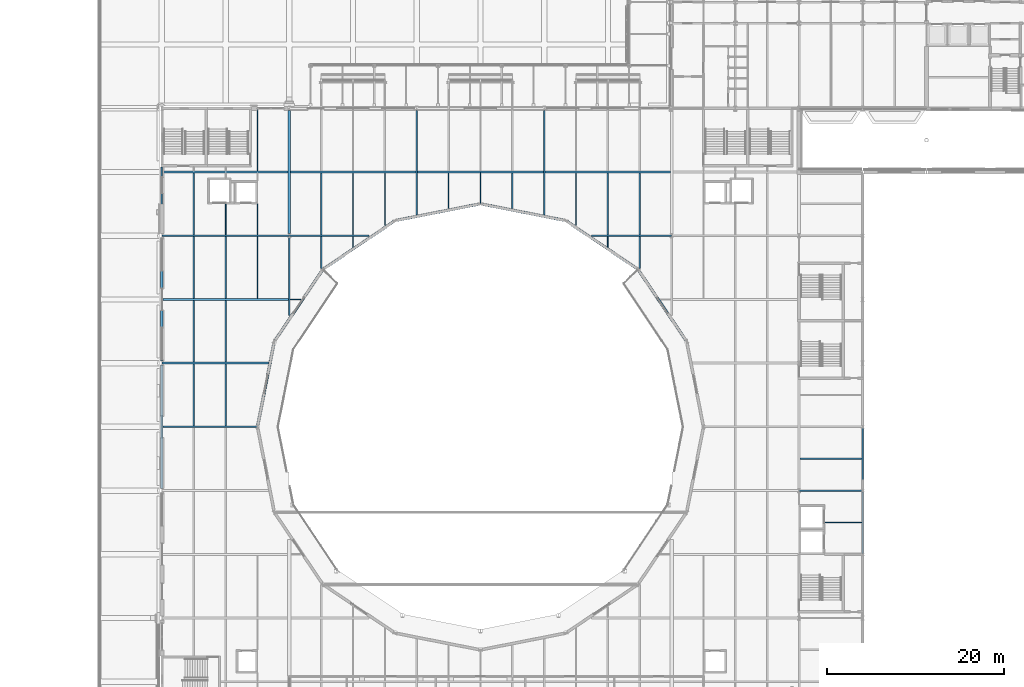
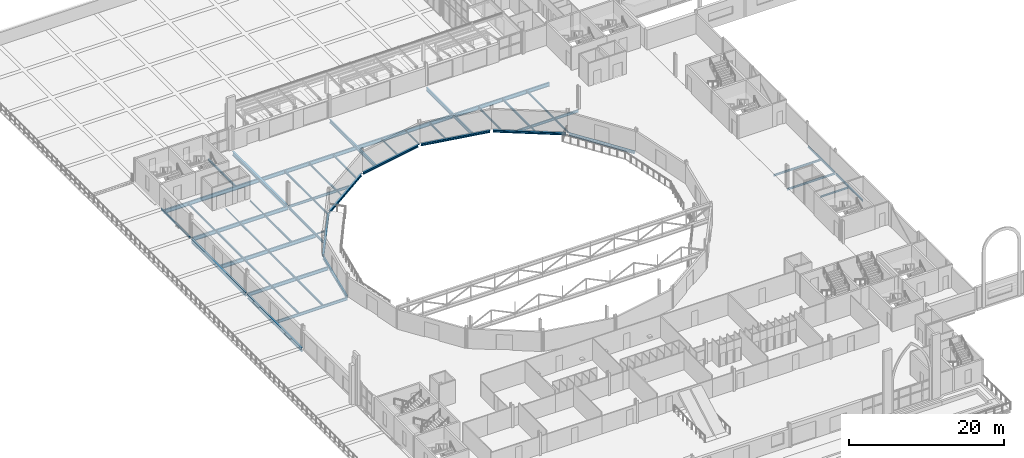
# One storey, part 46 of 143: 54 beams.
"""IFC4 building model written with IfcOpenShell, lengths in metres."""

from ifc_helpers import new_model, si_unit, direction, frame, origin, origin_2d, place, context, subcontext, project, spatial, i_section, extrude, material, material_profile, profile_set, type_object, element, save


model = new_model("IFC4")

# Units and contexts
model_context = context("Model", 3, precision=1e-05, world=origin(), true_north=direction((0.0, 1.0)))
body_context = subcontext(model_context, "Body", "Model", "MODEL_VIEW")
ifc_project = project(units=[si_unit("LENGTHUNIT", "METRE"), si_unit("AREAUNIT", "SQUARE_METRE"), si_unit("VOLUMEUNIT", "CUBIC_METRE"), si_unit("PLANEANGLEUNIT", "RADIAN"), si_unit("MASSUNIT", "GRAM", prefix="KILO")], contexts=[model_context])

# Site, building, storey
site_placement = place(None, origin())
site = spatial("IfcSite", under=ifc_project, at=site_placement, CompositionType="ELEMENT")
building_placement = place(site_placement, origin())
building = spatial("IfcBuilding", under=site, at=building_placement, Name="Kupolbacken Congress Centre", CompositionType="ELEMENT")
storey_placement = place(building_placement, frame((0.0, 0.0, 7.199951171875)))
storey = spatial("IfcBuildingStorey", under=building, at=storey_placement, Name="L02", CompositionType="ELEMENT", Elevation=7.199951171875)

# Beams
ifc_material_1 = material(Name="Steel S355", Category="steel")
ifc_material_profile_1 = material_profile(ifc_material_1, i_section(OverallWidth=0.10009765625, OverallDepth=0.199951171875, WebThickness=0.005615234375, FlangeThickness=0.008544921875, FilletRadius=0.011962890625, at=origin_2d()), Name="IPE 200")
ifc_profile_set_1 = profile_set([ifc_material_profile_1], Name="Steel S355")
beam_type_1 = type_object("IfcBeamType", Name="B01 beam IPE 200", PredefinedType="BEAM", material=ifc_profile_set_1)
beam_1_placement = place(storey_placement, frame((21.68994140625, 100.800048828125, -0.280029296875), z_axis=(1.0, 0.0, 0.0), x_axis=(0.0, 1.0, 0.0)))
element("IfcBeam", 1, at=beam_1_placement, inside=storey, type_object=beam_type_1, Name="S/floor/P/L02/R058", PredefinedType="BEAM", context=body_context, shape_type="SweptSolid", body=[
    extrude(i_section(OverallWidth=0.10009765625, OverallDepth=0.199951171875, WebThickness=0.005615234375, FlangeThickness=0.008544921875, FilletRadius=0.011962890625, at=origin_2d()), origin(), (0.0, 0.0, 1.0), 1.200927734375),
])
beam_2_placement = place(storey_placement, frame((14.39990234375, 108.110107421875, -0.280029296875), z_axis=(0.0, 1.0, 0.0), x_axis=(-1.0, 0.0, 0.0)))
element("IfcBeam", 2, at=beam_2_placement, inside=storey, type_object=beam_type_1, Name="S/floor/P/L02/S093", PredefinedType="BEAM", context=body_context, shape_type="SweptSolid", body=[
    extrude(i_section(OverallWidth=0.10009765625, OverallDepth=0.199951171875, WebThickness=0.005615234375, FlangeThickness=0.008544921875, FilletRadius=0.011962890625, at=origin_2d()), origin(), (0.0, 0.0, 1.0), 3.489990234375),
])
beam_3_placement = place(storey_placement, frame((28.800048828125, 106.709228515625, -0.280029296875), z_axis=(0.0, 1.0, 0.0), x_axis=(-1.0, 0.0, 0.0)))
element("IfcBeam", 3, at=beam_3_placement, inside=storey, type_object=beam_type_1, Name="S/floor/P/L02/S105", PredefinedType="BEAM", context=body_context, shape_type="SweptSolid", body=[
    extrude(i_section(OverallWidth=0.10009765625, OverallDepth=0.199951171875, WebThickness=0.005615234375, FlangeThickness=0.008544921875, FilletRadius=0.011962890625, at=origin_2d()), origin(), (0.0, 0.0, 1.0), 1.20068359375),
])
beam_4_placement = place(storey_placement, frame((43.199951171875, 111.606689453125, -0.280029296875), z_axis=(0.0, 1.0, 0.0), x_axis=(-1.0, 0.0, 0.0)))
element("IfcBeam", 4, at=beam_4_placement, inside=storey, type_object=beam_type_1, Name="S/floor/P/L02/S118", PredefinedType="BEAM", context=body_context, shape_type="SweptSolid", body=[
    extrude(i_section(OverallWidth=0.10009765625, OverallDepth=0.199951171875, WebThickness=0.005615234375, FlangeThickness=0.008544921875, FilletRadius=0.011962890625, at=origin_2d()), origin(), (0.0, 0.0, 1.0), 3.4833984375),
])
beam_5_placement = place(storey_placement, frame((57.60009765625, 106.709228515625, -0.280029296875), z_axis=(0.0, 1.0, 0.0), x_axis=(-1.0, 0.0, 0.0)))
element("IfcBeam", 5, at=beam_5_placement, inside=storey, type_object=beam_type_1, Name="S/floor/P/L02/S131", PredefinedType="BEAM", context=body_context, shape_type="SweptSolid", body=[
    extrude(i_section(OverallWidth=0.10009765625, OverallDepth=0.199951171875, WebThickness=0.005615234375, FlangeThickness=0.008544921875, FilletRadius=0.011962890625, at=origin_2d()), origin(), (0.0, 0.0, 1.0), 1.20068359375),
])
beam_6_placement = place(storey_placement, frame((18.0, 108.110107421875, -0.280029296875), z_axis=(0.0, 1.0, 0.0), x_axis=(-1.0, 0.0, 0.0)))
element("IfcBeam", 6, at=beam_6_placement, inside=storey, type_object=beam_type_1, Name="S/floor/P/L02/S170", PredefinedType="BEAM", context=body_context, shape_type="SweptSolid", body=[
    extrude(i_section(OverallWidth=0.10009765625, OverallDepth=0.199951171875, WebThickness=0.005615234375, FlangeThickness=0.008544921875, FilletRadius=0.011962890625, at=origin_2d()), origin(), (0.0, 0.0, 1.0), 3.489990234375),
])
ifc_material_2 = material(Name="Steel S355", Category="steel")
ifc_material_profile_2 = material_profile(ifc_material_2, i_section(OverallWidth=0.135009765625, OverallDepth=0.27001953125, WebThickness=0.006591796875, FlangeThickness=0.01025390625, FilletRadius=0.014892578125, at=origin_2d()), Name="IPE 270")
ifc_profile_set_2 = profile_set([ifc_material_profile_2], Name="Steel S355")
beam_type_2 = type_object("IfcBeamType", Name="B03 beam IPE 270", PredefinedType="BEAM", material=ifc_profile_set_2)
beam_7_placement = place(storey_placement, frame((25.199951171875, 104.271728515625, -0.31494140625), z_axis=(0.0, 1.0, 0.0), x_axis=(-1.0, 0.0, 0.0)))
element("IfcBeam", 7, at=beam_7_placement, inside=storey, type_object=beam_type_2, Name="S/floor/P/L02/S099", PredefinedType="BEAM", context=body_context, shape_type="SweptSolid", body=[
    extrude(i_section(OverallWidth=0.135009765625, OverallDepth=0.27001953125, WebThickness=0.006591796875, FlangeThickness=0.01025390625, FilletRadius=0.014892578125, at=origin_2d()), origin(), (0.0, 0.0, 1.0), 3.63818359375),
])
beam_8_placement = place(storey_placement, frame((32.39990234375, 109.150390625, -0.31494140625), z_axis=(0.0, 1.0, 0.0), x_axis=(-1.0, 0.0, 0.0)))
element("IfcBeam", 8, at=beam_8_placement, inside=storey, type_object=beam_type_2, Name="S/floor/P/L02/S110", PredefinedType="BEAM", context=body_context, shape_type="SweptSolid", body=[
    extrude(i_section(OverallWidth=0.135009765625, OverallDepth=0.27001953125, WebThickness=0.006591796875, FlangeThickness=0.01025390625, FilletRadius=0.014892578125, at=origin_2d()), origin(), (0.0, 0.0, 1.0), 5.939697265625),
])
for number, where, z_axis, x_axis, name in (
    (9, (39.60009765625, 111.057373046875, -0.31494140625), (0.0, 1.0, 0.0), (-1.0, 0.0, 0.0), "S/floor/P/L02/S114"),
    (10, (46.800048828125, 111.057373046875, -0.31494140625), (0.0, 1.0, 0.0), (-1.0, 0.0, 0.0), "S/floor/P/L02/S122"),
):
    element("IfcBeam", number, at=place(storey_placement, frame(where, z_axis=z_axis, x_axis=x_axis)), inside=storey, type_object=beam_type_2, Name=name, PredefinedType="BEAM", context=body_context, shape_type="SweptSolid", body=[
        extrude(i_section(OverallWidth=0.135009765625, OverallDepth=0.27001953125, WebThickness=0.006591796875, FlangeThickness=0.01025390625, FilletRadius=0.014892578125, at=origin_2d()), origin(), (0.0, 0.0, 1.0), 4.03271484375),
    ])
beam_9_placement = place(storey_placement, frame((54.0, 109.150390625, -0.31494140625), z_axis=(0.0, 1.0, 0.0), x_axis=(-1.0, 0.0, 0.0)))
element("IfcBeam", 11, at=beam_9_placement, inside=storey, type_object=beam_type_2, Name="S/floor/P/L02/S126", PredefinedType="BEAM", context=body_context, shape_type="SweptSolid", body=[
    extrude(i_section(OverallWidth=0.135009765625, OverallDepth=0.27001953125, WebThickness=0.006591796875, FlangeThickness=0.01025390625, FilletRadius=0.014892578125, at=origin_2d()), origin(), (0.0, 0.0, 1.0), 5.939697265625),
])
beam_10_placement = place(storey_placement, frame((61.199951171875, 104.271728515625, -0.31494140625), z_axis=(0.0, 1.0, 0.0), x_axis=(-1.0, 0.0, 0.0)))
element("IfcBeam", 12, at=beam_10_placement, inside=storey, type_object=beam_type_2, Name="S/floor/P/L02/S137", PredefinedType="BEAM", context=body_context, shape_type="SweptSolid", body=[
    extrude(i_section(OverallWidth=0.135009765625, OverallDepth=0.27001953125, WebThickness=0.006591796875, FlangeThickness=0.01025390625, FilletRadius=0.014892578125, at=origin_2d()), origin(), (0.0, 0.0, 1.0), 3.63818359375),
])
beam_11_placement = place(storey_placement, frame((82.10009765625, 75.60009765625, -0.31494140625), z_axis=(1.0, 0.0, 0.0), x_axis=(0.0, 1.0, 0.0)))
element("IfcBeam", 13, at=beam_11_placement, inside=storey, type_object=beam_type_2, Name="S/floor/LINK/L02/R015", PredefinedType="BEAM", context=body_context, shape_type="SweptSolid", body=[
    extrude(i_section(OverallWidth=0.135009765625, OverallDepth=0.27001953125, WebThickness=0.006591796875, FlangeThickness=0.01025390625, FilletRadius=0.014892578125, at=origin_2d()), origin(), (0.0, 0.0, 1.0), 4.224853515625),
])
ifc_material_3 = material(Name="Steel S355", Category="steel")
ifc_material_profile_3 = material_profile(ifc_material_3, i_section(OverallWidth=0.14990234375, OverallDepth=0.300048828125, WebThickness=0.007080078125, FlangeThickness=0.0107421875, FilletRadius=0.014892578125, at=origin_2d()), Name="IPE 300")
ifc_profile_set_3 = profile_set([ifc_material_profile_3], Name="Steel S355")
beam_type_3 = type_object("IfcBeamType", Name="B04 beam IPE 300", PredefinedType="BEAM", material=ifc_profile_set_3)
beam_12_placement = place(storey_placement, frame((10.800048828125, 86.4951171875, -0.329833984375), z_axis=(0.0, 1.0, 0.0), x_axis=(-1.0, 0.0, 0.0)))
element("IfcBeam", 14, at=beam_12_placement, inside=storey, type_object=beam_type_3, Name="S/floor/P/L02/S080", PredefinedType="BEAM", context=body_context, shape_type="SweptSolid", body=[
    extrude(i_section(OverallWidth=0.14990234375, OverallDepth=0.300048828125, WebThickness=0.007080078125, FlangeThickness=0.0107421875, FilletRadius=0.014892578125, at=origin_2d()), origin(), (0.0, 0.0, 1.0), 7.0),
])
beam_13_placement = place(storey_placement, frame((10.800048828125, 93.705078125, -0.329833984375), z_axis=(0.0, 1.0, 0.0), x_axis=(-1.0, 0.0, 0.0)))
element("IfcBeam", 15, at=beam_13_placement, inside=storey, type_object=beam_type_3, Name="S/floor/P/L02/S081", PredefinedType="BEAM", context=body_context, shape_type="SweptSolid", body=[
    extrude(i_section(OverallWidth=0.14990234375, OverallDepth=0.300048828125, WebThickness=0.007080078125, FlangeThickness=0.0107421875, FilletRadius=0.014892578125, at=origin_2d()), origin(), (0.0, 0.0, 1.0), 6.98486328125),
])
for number, where, z_axis, x_axis, name in (
    (16, (10.800048828125, 100.909912109375, -0.329833984375), (0.0, 1.0, 0.0), (-1.0, 0.0, 0.0), "S/floor/P/L02/S082"),
    (17, (10.800048828125, 108.110107421875, -0.329833984375), (0.0, 1.0, 0.0), (-1.0, 0.0, 0.0), "S/floor/P/L02/S083"),
):
    element("IfcBeam", number, at=place(storey_placement, frame(where, z_axis=z_axis, x_axis=x_axis)), inside=storey, type_object=beam_type_3, Name=name, PredefinedType="BEAM", context=body_context, shape_type="SweptSolid", body=[
        extrude(i_section(OverallWidth=0.14990234375, OverallDepth=0.300048828125, WebThickness=0.007080078125, FlangeThickness=0.0107421875, FilletRadius=0.014892578125, at=origin_2d()), origin(), (0.0, 0.0, 1.0), 6.97998046875),
    ])
beam_14_placement = place(storey_placement, frame((14.39990234375, 86.4951171875, -0.329833984375), z_axis=(0.0, 1.0, 0.0), x_axis=(-1.0, 0.0, 0.0)))
element("IfcBeam", 18, at=beam_14_placement, inside=storey, type_object=beam_type_3, Name="S/floor/P/L02/S090", PredefinedType="BEAM", context=body_context, shape_type="SweptSolid", body=[
    extrude(i_section(OverallWidth=0.14990234375, OverallDepth=0.300048828125, WebThickness=0.007080078125, FlangeThickness=0.0107421875, FilletRadius=0.014892578125, at=origin_2d()), origin(), (0.0, 0.0, 1.0), 7.0),
])
beam_15_placement = place(storey_placement, frame((14.39990234375, 93.705078125, -0.329833984375), z_axis=(0.0, 1.0, 0.0), x_axis=(-1.0, 0.0, 0.0)))
element("IfcBeam", 19, at=beam_15_placement, inside=storey, type_object=beam_type_3, Name="S/floor/P/L02/S091", PredefinedType="BEAM", context=body_context, shape_type="SweptSolid", body=[
    extrude(i_section(OverallWidth=0.14990234375, OverallDepth=0.300048828125, WebThickness=0.007080078125, FlangeThickness=0.0107421875, FilletRadius=0.014892578125, at=origin_2d()), origin(), (0.0, 0.0, 1.0), 6.98486328125),
])
beam_16_placement = place(storey_placement, frame((14.39990234375, 100.909912109375, -0.329833984375), z_axis=(0.0, 1.0, 0.0), x_axis=(-1.0, 0.0, 0.0)))
element("IfcBeam", 20, at=beam_16_placement, inside=storey, type_object=beam_type_3, Name="S/floor/P/L02/S092", PredefinedType="BEAM", context=body_context, shape_type="SweptSolid", body=[
    extrude(i_section(OverallWidth=0.14990234375, OverallDepth=0.300048828125, WebThickness=0.007080078125, FlangeThickness=0.0107421875, FilletRadius=0.014892578125, at=origin_2d()), origin(), (0.0, 0.0, 1.0), 6.97998046875),
])
for number, where, z_axis, x_axis, name in (
    (21, (25.199951171875, 108.090087890625, -0.329833984375), (0.0, 1.0, 0.0), (-1.0, 0.0, 0.0), "S/floor/P/L02/S100"),
    (22, (28.800048828125, 108.090087890625, -0.329833984375), (0.0, 1.0, 0.0), (-1.0, 0.0, 0.0), "S/floor/P/L02/S106"),
    (23, (57.60009765625, 108.090087890625, -0.329833984375), (0.0, 1.0, 0.0), (-1.0, 0.0, 0.0), "S/floor/P/L02/S132"),
    (24, (61.199951171875, 108.090087890625, -0.329833984375), (0.0, 1.0, 0.0), (-1.0, 0.0, 0.0), "S/floor/P/L02/S138"),
):
    element("IfcBeam", number, at=place(storey_placement, frame(where, z_axis=z_axis, x_axis=x_axis)), inside=storey, type_object=beam_type_3, Name=name, PredefinedType="BEAM", context=body_context, shape_type="SweptSolid", body=[
        extrude(i_section(OverallWidth=0.14990234375, OverallDepth=0.300048828125, WebThickness=0.007080078125, FlangeThickness=0.0107421875, FilletRadius=0.014892578125, at=origin_2d()), origin(), (0.0, 0.0, 1.0), 7.0),
    ])
beam_17_placement = place(storey_placement, frame((18.0, 100.909912109375, -0.329833984375), z_axis=(0.0, 1.0, 0.0), x_axis=(-1.0, 0.0, 0.0)))
element("IfcBeam", 25, at=beam_17_placement, inside=storey, type_object=beam_type_3, Name="S/floor/P/L02/S169", PredefinedType="BEAM", context=body_context, shape_type="SweptSolid", body=[
    extrude(i_section(OverallWidth=0.14990234375, OverallDepth=0.300048828125, WebThickness=0.007080078125, FlangeThickness=0.0107421875, FilletRadius=0.014892578125, at=origin_2d()), origin(), (0.0, 0.0, 1.0), 6.97998046875),
])
beam_18_placement = place(storey_placement, frame((18.0, 115.31005859375, -0.329833984375), z_axis=(0.0, 1.0, 0.0), x_axis=(-1.0, 0.0, 0.0)))
element("IfcBeam", 26, at=beam_18_placement, inside=storey, type_object=beam_type_3, Name="S/floor/P/L02/S172", PredefinedType="BEAM", context=body_context, shape_type="SweptSolid", body=[
    extrude(i_section(OverallWidth=0.14990234375, OverallDepth=0.300048828125, WebThickness=0.007080078125, FlangeThickness=0.0107421875, FilletRadius=0.014892578125, at=origin_2d()), origin(), (0.0, 0.0, 1.0), 7.0224609375),
])
beam_19_placement = place(storey_placement, frame((86.39990234375, 72.10009765625, -0.329833984375), z_axis=(0.0, 1.0, 0.0), x_axis=(-1.0, 0.0, 0.0)))
element("IfcBeam", 27, at=beam_19_placement, inside=storey, type_object=beam_type_3, Name="S/floor/LINK/L02/E005", PredefinedType="BEAM", context=body_context, shape_type="SweptSolid", body=[
    extrude(i_section(OverallWidth=0.14990234375, OverallDepth=0.300048828125, WebThickness=0.007080078125, FlangeThickness=0.0107421875, FilletRadius=0.014892578125, at=origin_2d()), origin(), (0.0, 0.0, 1.0), 6.954833984375),
])
beam_20_placement = place(storey_placement, frame((86.39990234375, 79.344970703125, -0.329833984375), z_axis=(0.0, 1.0, 0.0), x_axis=(-1.0, 0.0, 0.0)))
element("IfcBeam", 28, at=beam_20_placement, inside=storey, type_object=beam_type_3, Name="S/floor/LINK/L02/E006", PredefinedType="BEAM", context=body_context, shape_type="SweptSolid", body=[
    extrude(i_section(OverallWidth=0.14990234375, OverallDepth=0.300048828125, WebThickness=0.007080078125, FlangeThickness=0.0107421875, FilletRadius=0.014892578125, at=origin_2d()), origin(), (0.0, 0.0, 1.0), 6.909912109375),
])
beam_21_placement = place(storey_placement, frame((79.20703125, 79.199951171875, -0.329833984375), z_axis=(1.0, 0.0, 0.0), x_axis=(0.0, 1.0, 0.0)))
element("IfcBeam", 29, at=beam_21_placement, inside=storey, type_object=beam_type_3, Name="S/floor/LINK/L02/R016", PredefinedType="BEAM", context=body_context, shape_type="SweptSolid", body=[
    extrude(i_section(OverallWidth=0.14990234375, OverallDepth=0.300048828125, WebThickness=0.007080078125, FlangeThickness=0.0107421875, FilletRadius=0.014892578125, at=origin_2d()), origin(), (0.0, 0.0, 1.0), 7.188720703125),
])
beam_22_placement = place(storey_placement, frame((79.304931640625, 82.800048828125, -0.329833984375), z_axis=(1.0, 0.0, 0.0), x_axis=(0.0, 1.0, 0.0)))
element("IfcBeam", 30, at=beam_22_placement, inside=storey, type_object=beam_type_3, Name="S/floor/LINK/L02/R017", PredefinedType="BEAM", context=body_context, shape_type="SweptSolid", body=[
    extrude(i_section(OverallWidth=0.14990234375, OverallDepth=0.300048828125, WebThickness=0.007080078125, FlangeThickness=0.0107421875, FilletRadius=0.014892578125, at=origin_2d()), origin(), (0.0, 0.0, 1.0), 7.02001953125),
])
ifc_material_4 = material(Name="Steel S355", Category="steel")
ifc_material_profile_4 = material_profile(ifc_material_4, i_section(OverallWidth=0.159912109375, OverallDepth=0.330078125, WebThickness=0.007568359375, FlangeThickness=0.011474609375, FilletRadius=0.01806640625, at=origin_2d()), Name="IPE 330")
ifc_profile_set_4 = profile_set([ifc_material_profile_4], Name="Steel S355")
beam_type_4 = type_object("IfcBeamType", Name="B05 beam IPE 330", PredefinedType="BEAM", material=ifc_profile_set_4)
beam_23_placement = place(storey_placement, frame((7.199951171875, 108.22509765625, -0.344970703125), z_axis=(0.0, 1.0, 0.0), x_axis=(-1.0, 0.0, 0.0)))
element("IfcBeam", 31, at=beam_23_placement, inside=storey, type_object=beam_type_4, Name="S/floor/P/L02/G021", PredefinedType="BEAM", context=body_context, shape_type="SweptSolid", body=[
    extrude(i_section(OverallWidth=0.159912109375, OverallDepth=0.330078125, WebThickness=0.007568359375, FlangeThickness=0.011474609375, FilletRadius=0.01806640625, at=origin_2d()), origin(), (0.0, 0.0, 1.0), 7.5498046875),
])
ifc_material_5 = material(Name="Steel S355", Category="steel")
ifc_material_profile_5 = material_profile(ifc_material_5, i_section(OverallWidth=0.179931640625, OverallDepth=0.39990234375, WebThickness=0.008544921875, FlangeThickness=0.013427734375, FilletRadius=0.02099609375, at=origin_2d()), Name="IPE 400")
ifc_profile_set_5 = profile_set([ifc_material_profile_5], Name="Steel S355")
beam_type_5 = type_object("IfcBeamType", Name="B07 beam IPE 400", PredefinedType="BEAM", material=ifc_profile_set_5)
beam_24_placement = place(storey_placement, frame((21.60009765625, 98.970703125, -0.3798828125), z_axis=(0.0, 1.0, 0.0), x_axis=(-1.0, 0.0, 0.0)))
element("IfcBeam", 32, at=beam_24_placement, inside=storey, type_object=beam_type_5, Name="S/floor/P/L02/G023", PredefinedType="BEAM", context=body_context, shape_type="SweptSolid", body=[
    extrude(i_section(OverallWidth=0.179931640625, OverallDepth=0.39990234375, WebThickness=0.008544921875, FlangeThickness=0.013427734375, FilletRadius=0.02099609375, at=origin_2d()), origin(), (0.0, 0.0, 1.0), 8.80419921875),
])
for number, where, z_axis, x_axis, name in (
    (33, (21.60693359375, 108.0, -0.3798828125), (1.0, 0.0, 0.0), (0.0, 1.0, 0.0), "S/floor/P/L02/R062"),
    (34, (55.7705078125, 108.0, -0.3798828125), (1.0, 0.0, 0.0), (0.0, 1.0, 0.0), "S/floor/P/L02/R063"),
):
    element("IfcBeam", number, at=place(storey_placement, frame(where, z_axis=z_axis, x_axis=x_axis)), inside=storey, type_object=beam_type_5, Name=name, PredefinedType="BEAM", context=body_context, shape_type="SweptSolid", body=[
        extrude(i_section(OverallWidth=0.179931640625, OverallDepth=0.39990234375, WebThickness=0.008544921875, FlangeThickness=0.013427734375, FilletRadius=0.02099609375, at=origin_2d()), origin(), (0.0, 0.0, 1.0), 9.0224609375),
    ])
ifc_material_6 = material(Name="Steel S355", Category="steel")
ifc_material_profile_6 = material_profile(ifc_material_6, i_section(OverallWidth=0.18994140625, OverallDepth=0.449951171875, WebThickness=0.009521484375, FlangeThickness=0.0146484375, FilletRadius=0.02099609375, at=origin_2d()), Name="IPE 450")
ifc_profile_set_6 = profile_set([ifc_material_profile_6], Name="Steel S355")
beam_type_6 = type_object("IfcBeamType", Name="B08 beam IPE 450", PredefinedType="BEAM", material=ifc_profile_set_6)
beam_25_placement = place(storey_placement, frame((7.35009765625, 86.39990234375, -0.405029296875), z_axis=(1.0, 0.0, 0.0), x_axis=(0.0, 1.0, 0.0)))
element("IfcBeam", 35, at=beam_25_placement, inside=storey, type_object=beam_type_6, Name="S/floor/P/L02/R053", PredefinedType="BEAM", context=body_context, shape_type="SweptSolid", body=[
    extrude(i_section(OverallWidth=0.18994140625, OverallDepth=0.449951171875, WebThickness=0.009521484375, FlangeThickness=0.0146484375, FilletRadius=0.02099609375, at=origin_2d()), origin(), (0.0, 0.0, 1.0), 10.64306640625),
])
ifc_material_7 = material(Name="Steel S355", Category="steel")
ifc_material_profile_7 = material_profile(ifc_material_7, i_section(OverallWidth=0.2099609375, OverallDepth=0.550048828125, WebThickness=0.010986328125, FlangeThickness=0.01708984375, FilletRadius=0.02392578125, at=origin_2d()), Name="IPE 550")
ifc_profile_set_7 = profile_set([ifc_material_profile_7], Name="Steel S355")
beam_type_7 = type_object("IfcBeamType", Name="B10 beam IPE 550", PredefinedType="BEAM", material=ifc_profile_set_7)
for number, where, z_axis, x_axis, name in (
    (36, (36.0, 110.35595703125, -0.454833984375), (0.0, 1.0, 0.0), (-1.0, 0.0, 0.0), "S/floor/P/L02/G026"),
    (37, (50.39990234375, 110.35595703125, -0.454833984375), (0.0, 1.0, 0.0), (-1.0, 0.0, 0.0), "S/floor/P/L02/G028"),
):
    element("IfcBeam", number, at=place(storey_placement, frame(where, z_axis=z_axis, x_axis=x_axis)), inside=storey, type_object=beam_type_7, Name=name, PredefinedType="BEAM", context=body_context, shape_type="SweptSolid", body=[
        extrude(i_section(OverallWidth=0.2099609375, OverallDepth=0.550048828125, WebThickness=0.010986328125, FlangeThickness=0.01708984375, FilletRadius=0.02392578125, at=origin_2d()), origin(), (0.0, 0.0, 1.0), 11.819091796875),
    ])
beam_26_placement = place(storey_placement, frame((7.20703125, 93.60009765625, -0.454833984375), z_axis=(1.0, 0.0, 0.0), x_axis=(0.0, 1.0, 0.0)))
element("IfcBeam", 38, at=beam_26_placement, inside=storey, type_object=beam_type_7, Name="S/floor/P/L02/R055", PredefinedType="BEAM", context=body_context, shape_type="SweptSolid", body=[
    extrude(i_section(OverallWidth=0.2099609375, OverallDepth=0.550048828125, WebThickness=0.010986328125, FlangeThickness=0.01708984375, FilletRadius=0.02392578125, at=origin_2d()), origin(), (0.0, 0.0, 1.0), 12.037109375),
])
ifc_material_8 = material(Name="Steel S355", Category="steel")
ifc_material_profile_8 = material_profile(ifc_material_8, i_section(OverallWidth=0.219970703125, OverallDepth=0.60009765625, WebThickness=0.011962890625, FlangeThickness=0.01904296875, FilletRadius=0.02392578125, at=origin_2d()), Name="IPE 600")
ifc_profile_set_8 = profile_set([ifc_material_profile_8], Name="Steel S355")
beam_type_8 = type_object("IfcBeamType", Name="B11 beam IPE 600", PredefinedType="BEAM", material=ifc_profile_set_8)
beam_27_placement = place(storey_placement, frame((7.35009765625, 100.800048828125, -0.47998046875), z_axis=(1.0, 0.0, 0.0), x_axis=(0.0, 1.0, 0.0)))
element("IfcBeam", 39, at=beam_27_placement, inside=storey, type_object=beam_type_8, Name="S/floor/P/L02/R057", PredefinedType="BEAM", context=body_context, shape_type="SweptSolid", body=[
    extrude(i_section(OverallWidth=0.219970703125, OverallDepth=0.60009765625, WebThickness=0.011962890625, FlangeThickness=0.01904296875, FilletRadius=0.02392578125, at=origin_2d()), origin(), (0.0, 0.0, 1.0), 14.159912109375),
])
beam_28_placement = place(storey_placement, frame((7.20703125, 108.0, -0.47998046875), z_axis=(1.0, 0.0, 0.0), x_axis=(0.0, 1.0, 0.0)))
element("IfcBeam", 40, at=beam_28_placement, inside=storey, type_object=beam_type_8, Name="S/floor/P/L02/R061", PredefinedType="BEAM", context=body_context, shape_type="SweptSolid", body=[
    extrude(i_section(OverallWidth=0.219970703125, OverallDepth=0.60009765625, WebThickness=0.011962890625, FlangeThickness=0.01904296875, FilletRadius=0.02392578125, at=origin_2d()), origin(), (0.0, 0.0, 1.0), 14.385986328125),
])
beam_29_placement = place(storey_placement, frame((7.280029296875, 115.199951171875, -0.47998046875), z_axis=(1.0, 0.0, 0.0), x_axis=(0.0, 1.0, 0.0)))
element("IfcBeam", 41, at=beam_29_placement, inside=storey, type_object=beam_type_8, Name="S/floor/P/L02/R065", PredefinedType="BEAM", context=body_context, shape_type="SweptSolid", body=[
    extrude(i_section(OverallWidth=0.219970703125, OverallDepth=0.60009765625, WebThickness=0.011962890625, FlangeThickness=0.01904296875, FilletRadius=0.02392578125, at=origin_2d()), origin(), (0.0, 0.0, 1.0), 14.169921875),
])
beam_30_placement = place(storey_placement, frame((21.75, 115.199951171875, -0.47998046875), z_axis=(1.0, 0.0, 0.0), x_axis=(0.0, 1.0, 0.0)))
element("IfcBeam", 42, at=beam_30_placement, inside=storey, type_object=beam_type_8, Name="S/floor/P/L02/R066", PredefinedType="BEAM", context=body_context, shape_type="SweptSolid", body=[
    extrude(i_section(OverallWidth=0.219970703125, OverallDepth=0.60009765625, WebThickness=0.011962890625, FlangeThickness=0.01904296875, FilletRadius=0.02392578125, at=origin_2d()), origin(), (0.0, 0.0, 1.0), 14.14501953125),
])
beam_31_placement = place(storey_placement, frame((36.10498046875, 115.199951171875, -0.47998046875), z_axis=(1.0, 0.0, 0.0), x_axis=(0.0, 1.0, 0.0)))
element("IfcBeam", 43, at=beam_31_placement, inside=storey, type_object=beam_type_8, Name="S/floor/P/L02/R067", PredefinedType="BEAM", context=body_context, shape_type="SweptSolid", body=[
    extrude(i_section(OverallWidth=0.219970703125, OverallDepth=0.60009765625, WebThickness=0.011962890625, FlangeThickness=0.01904296875, FilletRadius=0.02392578125, at=origin_2d()), origin(), (0.0, 0.0, 1.0), 14.18994140625),
])
beam_32_placement = place(storey_placement, frame((50.5048828125, 115.199951171875, -0.47998046875), z_axis=(1.0, 0.0, 0.0), x_axis=(0.0, 1.0, 0.0)))
element("IfcBeam", 44, at=beam_32_placement, inside=storey, type_object=beam_type_8, Name="S/floor/P/L02/R068", PredefinedType="BEAM", context=body_context, shape_type="SweptSolid", body=[
    extrude(i_section(OverallWidth=0.219970703125, OverallDepth=0.60009765625, WebThickness=0.011962890625, FlangeThickness=0.01904296875, FilletRadius=0.02392578125, at=origin_2d()), origin(), (0.0, 0.0, 1.0), 14.14501953125),
])
ifc_material_9 = material(Name="Steel S355", Category="steel")
ifc_material_profile_9 = material_profile(ifc_material_9, i_section(OverallWidth=0.300048828125, OverallDepth=0.35009765625, WebThickness=0.010009765625, FlangeThickness=0.017578125, FilletRadius=0.027099609375, at=origin_2d()), Name="HEA 360")
ifc_profile_set_9 = profile_set([ifc_material_profile_9], Name="Steel S355")
beam_type_9 = type_object("IfcBeamType", Name="B13 beam HEA 360", PredefinedType="BEAM", material=ifc_profile_set_9)
beam_33_placement = place(storey_placement, frame((66.3857421875, 96.21923828125, -0.35498046875), z_axis=(-0.559384311532, 0.828908434034, 0.0), x_axis=(-0.828908434034, -0.559384311532, 0.0)))
element("IfcBeam", 45, at=beam_33_placement, inside=storey, type_object=beam_type_9, Name="S/floor/P/L02/C002", PredefinedType="BEAM", context=body_context, shape_type="SweptSolid", body=[
    extrude(i_section(OverallWidth=0.300048828125, OverallDepth=0.35009765625, WebThickness=0.010009765625, FlangeThickness=0.017578125, FilletRadius=0.027099609375, at=origin_2d()), origin(), (0.0, 0.0, 1.0), 9.424072265625),
])
beam_34_placement = place(storey_placement, frame((60.8310546875, 104.31396484375, -0.35498046875), z_axis=(-0.828896422049, 0.559402110752, 0.0), x_axis=(-0.559402110752, -0.828896422049, 0.0)))
element("IfcBeam", 46, at=beam_34_placement, inside=storey, type_object=beam_type_9, Name="S/floor/P/L02/C003", PredefinedType="BEAM", context=body_context, shape_type="SweptSolid", body=[
    extrude(i_section(OverallWidth=0.300048828125, OverallDepth=0.35009765625, WebThickness=0.010009765625, FlangeThickness=0.017578125, FilletRadius=0.027099609375, at=origin_2d()), origin(), (0.0, 0.0, 1.0), 9.42431640625),
])
beam_35_placement = place(storey_placement, frame((52.64990234375, 109.739501953125, -0.35498046875), z_axis=(-0.981166868204, 0.193162047876, 0.0), x_axis=(-0.193162047876, -0.981166868204, 0.0)))
element("IfcBeam", 47, at=beam_35_placement, inside=storey, type_object=beam_type_9, Name="S/floor/P/L02/C004", PredefinedType="BEAM", context=body_context, shape_type="SweptSolid", body=[
    extrude(i_section(OverallWidth=0.300048828125, OverallDepth=0.35009765625, WebThickness=0.010009765625, FlangeThickness=0.017578125, FilletRadius=0.027099609375, at=origin_2d()), origin(), (0.0, 0.0, 1.0), 9.427490234375),
])
beam_36_placement = place(storey_placement, frame((43.0, 111.560546875, -0.35498046875), z_axis=(-0.981165901927, -0.193166956013, 0.0), x_axis=(0.193166956013, -0.981165901927, 0.0)))
element("IfcBeam", 48, at=beam_36_placement, inside=storey, type_object=beam_type_9, Name="S/floor/P/L02/C005", PredefinedType="BEAM", context=body_context, shape_type="SweptSolid", body=[
    extrude(i_section(OverallWidth=0.300048828125, OverallDepth=0.35009765625, WebThickness=0.010009765625, FlangeThickness=0.017578125, FilletRadius=0.027099609375, at=origin_2d()), origin(), (0.0, 0.0, 1.0), 9.42724609375),
])
beam_37_placement = place(storey_placement, frame((33.380859375, 109.5859375, -0.35498046875), z_axis=(-0.828904528397, -0.55939009895, 0.0), x_axis=(0.55939009895, -0.828904528397, 0.0)))
element("IfcBeam", 49, at=beam_37_placement, inside=storey, type_object=beam_type_9, Name="S/floor/P/L02/C006", PredefinedType="BEAM", context=body_context, shape_type="SweptSolid", body=[
    extrude(i_section(OverallWidth=0.300048828125, OverallDepth=0.35009765625, WebThickness=0.010009765625, FlangeThickness=0.017578125, FilletRadius=0.027099609375, at=origin_2d()), origin(), (0.0, 0.0, 1.0), 9.424560546875),
])
beam_38_placement = place(storey_placement, frame((25.2861328125, 104.031005859375, -0.35498046875), z_axis=(-0.559402110752, -0.828896422049, 0.0), x_axis=(0.828896422049, -0.559402110752, 0.0)))
element("IfcBeam", 50, at=beam_38_placement, inside=storey, type_object=beam_type_9, Name="S/floor/P/L02/C007", PredefinedType="BEAM", context=body_context, shape_type="SweptSolid", body=[
    extrude(i_section(OverallWidth=0.300048828125, OverallDepth=0.35009765625, WebThickness=0.010009765625, FlangeThickness=0.017578125, FilletRadius=0.027099609375, at=origin_2d()), origin(), (0.0, 0.0, 1.0), 9.42431640625),
])
beam_39_placement = place(storey_placement, frame((19.860595703125, 95.849853515625, -0.35498046875), z_axis=(-0.193191886678, -0.981160993376, 0.0), x_axis=(0.981160993376, -0.193191886678, 0.0)))
element("IfcBeam", 51, at=beam_39_placement, inside=storey, type_object=beam_type_9, Name="S/floor/P/L02/C008", PredefinedType="BEAM", context=body_context, shape_type="SweptSolid", body=[
    extrude(i_section(OverallWidth=0.300048828125, OverallDepth=0.35009765625, WebThickness=0.010009765625, FlangeThickness=0.017578125, FilletRadius=0.027099609375, at=origin_2d()), origin(), (0.0, 0.0, 1.0), 9.42724609375),
])
ifc_material_10 = material(Name="Steel S355", Category="steel")
ifc_material_profile_10 = material_profile(ifc_material_10, i_section(OverallWidth=0.300048828125, OverallDepth=0.60009765625, WebThickness=0.015380859375, FlangeThickness=0.030029296875, FilletRadius=0.027099609375, at=origin_2d()), Name="HEB 600")
ifc_profile_set_10 = profile_set([ifc_material_profile_10], Name="Steel S355")
beam_type_10 = type_object("IfcBeamType", Name="B15 beam HEB 600", PredefinedType="BEAM", material=ifc_profile_set_10)
for number, where, z_axis, x_axis, name in (
    (52, (7.199951171875, 79.425048828125, -0.47998046875), (0.0, 1.0, 0.0), (-1.0, 0.0, 0.0), "S/floor/P/L02/G019"),
    (53, (7.199951171875, 93.824951171875, -0.47998046875), (0.0, 1.0, 0.0), (-1.0, 0.0, 0.0), "S/floor/P/L02/G020"),
    (54, (21.60009765625, 108.22509765625, -0.47998046875), (0.0, 1.0, 0.0), (-1.0, 0.0, 0.0), "S/floor/P/L02/G024"),
):
    element("IfcBeam", number, at=place(storey_placement, frame(where, z_axis=z_axis, x_axis=x_axis)), inside=storey, type_object=beam_type_10, Name=name, PredefinedType="BEAM", context=body_context, shape_type="SweptSolid", body=[
        extrude(i_section(OverallWidth=0.300048828125, OverallDepth=0.60009765625, WebThickness=0.015380859375, FlangeThickness=0.030029296875, FilletRadius=0.027099609375, at=origin_2d()), origin(), (0.0, 0.0, 1.0), 13.949951171875),
    ])

save(model, "model.ifc")
